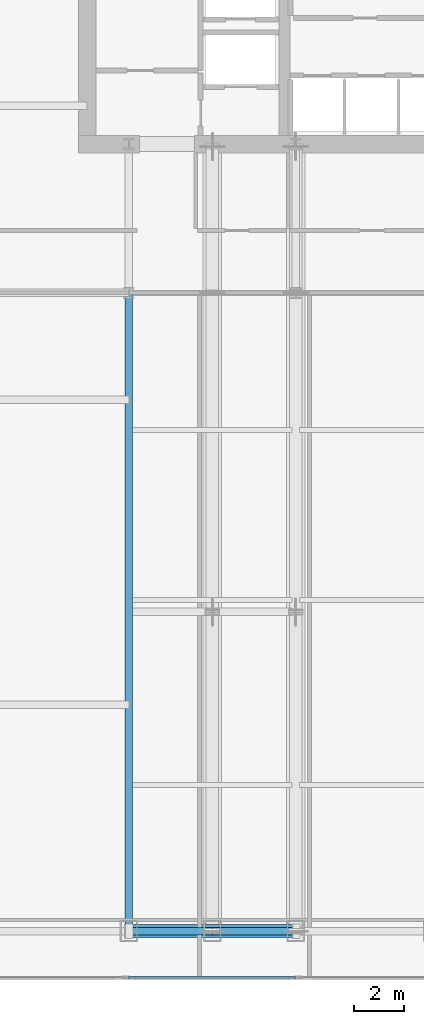
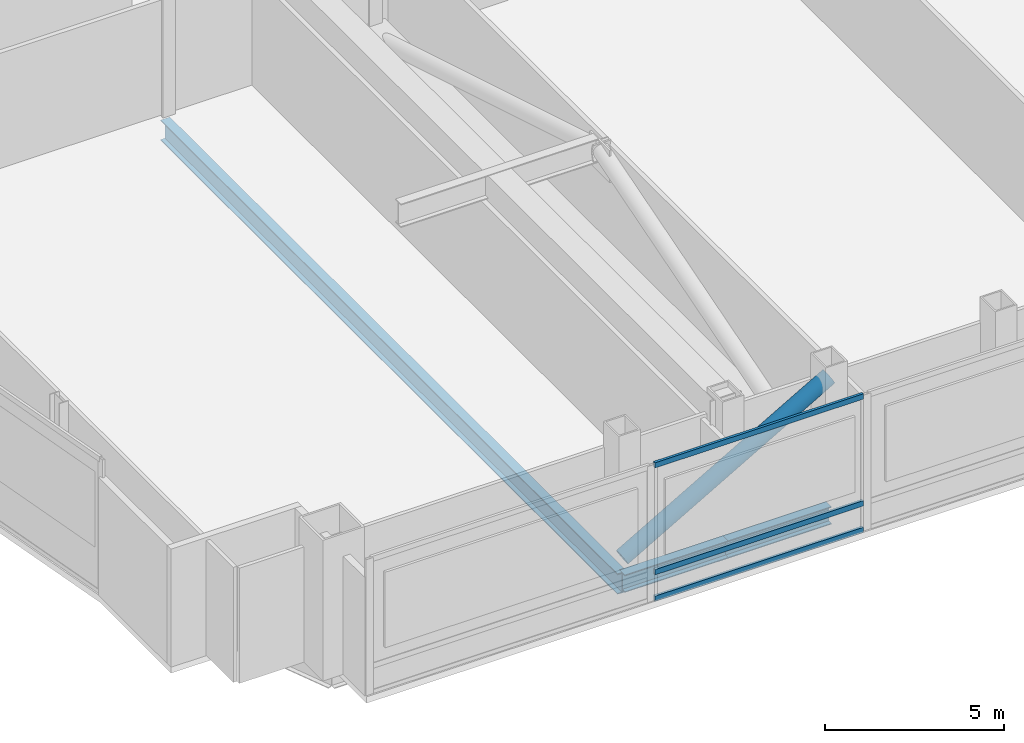
# One storey, part 7 of 30: 4 members, 3 beams, 1 element without a shape of its own.
"""IFC4 building model written with IfcOpenShell, lengths in metres."""

from ifc_helpers import new_model, si_unit, direction, frame, origin, origin_2d, place, context, subcontext, project, spatial, hollow_rectangle, hollow_circle, i_section, extrude, material, material_profile, profile_set, type_object, element, aggregate, save


model = new_model("IFC4")

# Units and contexts
model_context = context("Model", 3, precision=1e-05, world=origin(), true_north=direction((0.0, 1.0)))
body_context = subcontext(model_context, "Body", "Model", "MODEL_VIEW")
ifc_project = project(units=[si_unit("LENGTHUNIT", "METRE"), si_unit("AREAUNIT", "SQUARE_METRE"), si_unit("VOLUMEUNIT", "CUBIC_METRE"), si_unit("PLANEANGLEUNIT", "RADIAN"), si_unit("MASSUNIT", "GRAM", prefix="KILO")], contexts=[model_context])

# Site, building, storey
site_placement = place(None, origin())
site = spatial("IfcSite", under=ifc_project, at=site_placement, CompositionType="ELEMENT")
building_placement = place(site_placement, origin())
building = spatial("IfcBuilding", under=site, at=building_placement, Name="Khoronbel Lancet Exchange", CompositionType="ELEMENT")
storey_placement = place(building_placement, frame((0.0, 0.0, 172.199951171875)))
storey = spatial("IfcBuildingStorey", under=building, at=storey_placement, Name="L43", CompositionType="ELEMENT", Elevation=172.199951171875)

# Beams
ifc_material_1 = material(Name="Steel S355", Category="steel")
ifc_material_profile_1 = material_profile(ifc_material_1, i_section(OverallWidth=0.300048828125, OverallDepth=0.699951171875, WebThickness=0.01708984375, FlangeThickness=0.031982421875, at=origin_2d()), Name="HEB 700")
ifc_profile_set_1 = profile_set([ifc_material_profile_1], Name="Steel S355")
beam_type_1 = type_object("IfcBeamType", Name="BM-BG3", PredefinedType="BEAM", material=ifc_profile_set_1)
beam_placement = place(storey_placement, frame((18.22509765625, 10.14990234375, -0.570068359375), z_axis=(0.0, 1.0, 0.0), x_axis=(-1.0, 0.0, 0.0)))
element("IfcBeam", 1, at=beam_placement, inside=storey, type_object=beam_type_1, Name="Level L43 south primary girder GS1", PredefinedType="BEAM", context=body_context, shape_type="SweptSolid", body=[
    extrude(i_section(OverallWidth=0.300048828125, OverallDepth=0.699951171875, WebThickness=0.01708984375, FlangeThickness=0.031982421875, at=origin_2d()), origin(), (0.0, 0.0, 1.0), 25.550048828125),
])
ifc_material_profile_2 = material_profile(ifc_material_1, i_section(OverallWidth=0.300048828125, OverallDepth=0.60009765625, WebThickness=0.015380859375, FlangeThickness=0.030029296875, at=origin_2d()), Name="HEB 600")
ifc_profile_set_2 = profile_set([ifc_material_profile_2], Name="Steel S355")
beam_type_2 = type_object("IfcBeamType", Name="BM-BSP2", PredefinedType="SPANDREL", material=ifc_profile_set_2)
for number, where, z_axis, x_axis, name in (
    (2, (18.22509765625, 10.14990234375, -0.52001953125), (1.0, 0.0, 0.0), (0.0, 1.0, 0.0), "Level L43 perimeter spandrel beam SP02"),
    (3, (21.5625, 10.14990234375, -0.52001953125), (1.0, 0.0, 0.0), (0.0, 1.0, 0.0), "Level L43 perimeter spandrel beam SP03"),
):
    element("IfcBeam", number, at=place(storey_placement, frame(where, z_axis=z_axis, x_axis=x_axis)), inside=storey, type_object=beam_type_2, Name=name, PredefinedType="SPANDREL", context=body_context, shape_type="SweptSolid", body=[
        extrude(i_section(OverallWidth=0.300048828125, OverallDepth=0.60009765625, WebThickness=0.015380859375, FlangeThickness=0.030029296875, at=origin_2d()), origin(), (0.0, 0.0, 1.0), 3.33740234375),
    ])

# Curtain wall, members
ifc_material_2 = material(Name="Low-E Solar Control Insulating Glass", Category="glass")
curtain_wall_type = type_object("IfcCurtainWallType", Name="CW-3", PredefinedType="NOTDEFINED", material=ifc_material_2)
curtain_wall_placement = place(storey_placement, origin())
curtain_wall = element("IfcCurtainWall", 4, at=curtain_wall_placement, inside=storey, type_object=curtain_wall_type, Name="Unitised curtain wall CW-L43-SWB", PredefinedType="NOTDEFINED")
ifc_material_3 = material(Name="Bronze-Anodised Aluminium 6063-T6", Category="aluminium")
ifc_material_profile_3 = material_profile(ifc_material_3, hollow_rectangle(XDim=0.0849609375, YDim=0.179931640625, WallThickness=0.0048828125, at=origin_2d()), Name="ALU TRANSOM 85x180")
ifc_profile_set_3 = profile_set([ifc_material_profile_3], Name="Bronze-Anodised Aluminium 6063-T6")
member_type_1 = type_object("IfcMemberType", Name="MEM-CWT1", PredefinedType="USERDEFINED", material=ifc_profile_set_3)
member_1_placement = place(storey_placement, frame((18.18505859375, 8.2900390625, 0.04248046875), z_axis=(1.0, 0.0, 0.0), x_axis=(0.0, 1.0, 0.0)))
member_1 = element("IfcMember", 5, at=member_1_placement, type_object=member_type_1, Name="CW3 transom 1.1", ObjectType="TRANSOM", PredefinedType="USERDEFINED", context=body_context, shape_type="SweptSolid", body=[
    extrude(hollow_rectangle(XDim=0.0849609375, YDim=0.179931640625, WallThickness=0.0048828125, at=origin_2d()), origin(), (0.0, 0.0, 1.0), 6.72998046875),
])
member_2_placement = place(storey_placement, frame((18.18505859375, 8.2900390625, 0.949951171875), z_axis=(1.0, 0.0, 0.0), x_axis=(0.0, 1.0, 0.0)))
member_2 = element("IfcMember", 6, at=member_2_placement, type_object=member_type_1, Name="CW3 transom 1.2", ObjectType="TRANSOM", PredefinedType="USERDEFINED", context=body_context, shape_type="SweptSolid", body=[
    extrude(hollow_rectangle(XDim=0.0849609375, YDim=0.179931640625, WallThickness=0.0048828125, at=origin_2d()), origin(), (0.0, 0.0, 1.0), 6.72998046875),
])
member_3_placement = place(storey_placement, frame((18.18505859375, 8.2900390625, 4.59765625), z_axis=(1.0, 0.0, 0.0), x_axis=(0.0, 1.0, 0.0)))
member_3 = element("IfcMember", 7, at=member_3_placement, type_object=member_type_1, Name="CW3 transom 1.3", ObjectType="TRANSOM", PredefinedType="USERDEFINED", context=body_context, shape_type="SweptSolid", body=[
    extrude(hollow_rectangle(XDim=0.0849609375, YDim=0.179931640625, WallThickness=0.0048828125, at=origin_2d()), origin(), (0.0, 0.0, 1.0), 6.72998046875),
])
aggregate(curtain_wall, [member_1, member_2, member_3])

# Member
ifc_material_4 = material(Name="Steel S460", Category="steel")
ifc_material_profile_4 = material_profile(ifc_material_4, hollow_circle(Radius=0.25390625, WallThickness=0.02490234375, at=origin_2d()), Name="CHS 508x25")
ifc_profile_set_4 = profile_set([ifc_material_profile_4], Name="Steel S460")
member_type_2 = type_object("IfcMemberType", Name="MEM-OBR2", PredefinedType="BRACE", material=ifc_profile_set_4)
member_4_placement = place(storey_placement, frame((18.22509765625, 10.14990234375, 0.300048828125), z_axis=(0.866789827552, 0.0, 0.49867363561), x_axis=(0.0, 1.0, 0.0)))
element("IfcMember", 8, at=member_4_placement, inside=storey, type_object=member_type_2, Name="Perimeter belt-truss diagonal L43-1", PredefinedType="BRACE", context=body_context, shape_type="SweptSolid", body=[
    extrude(hollow_circle(Radius=0.25390625, WallThickness=0.02490234375, at=origin_2d()), origin(), (0.0, 0.0, 1.0), 7.70068359375),
])

save(model, "model.ifc")
